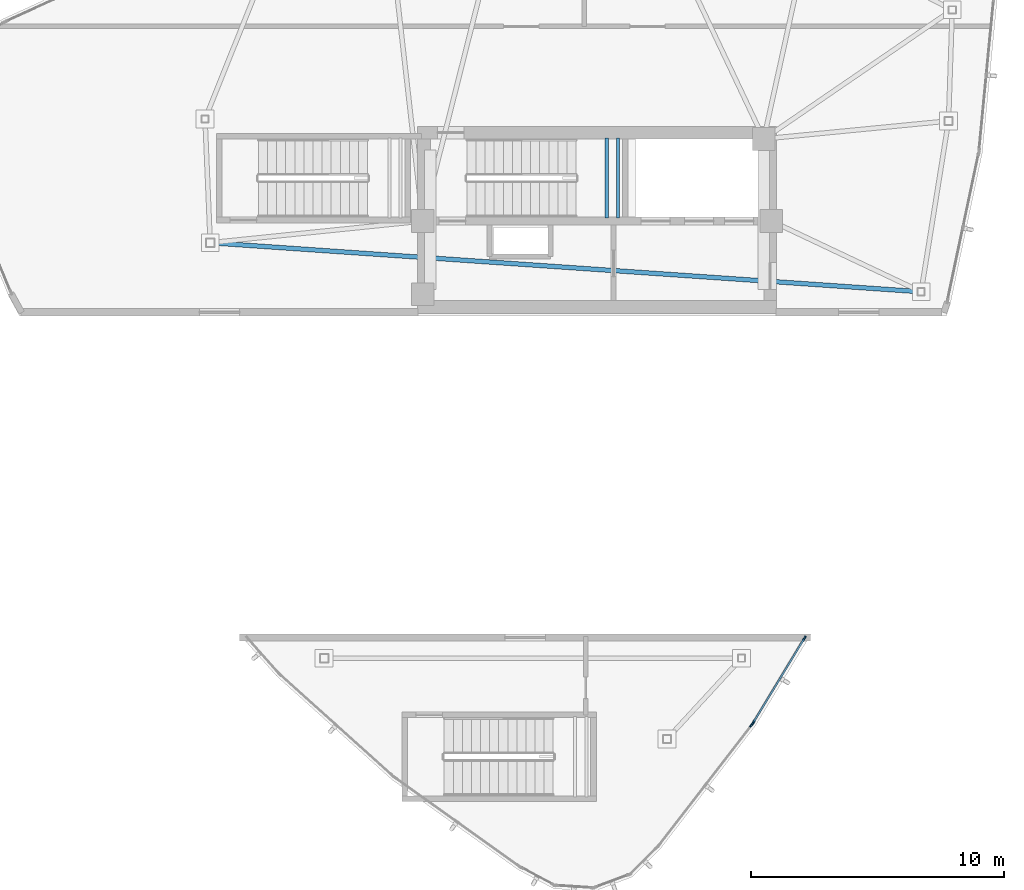
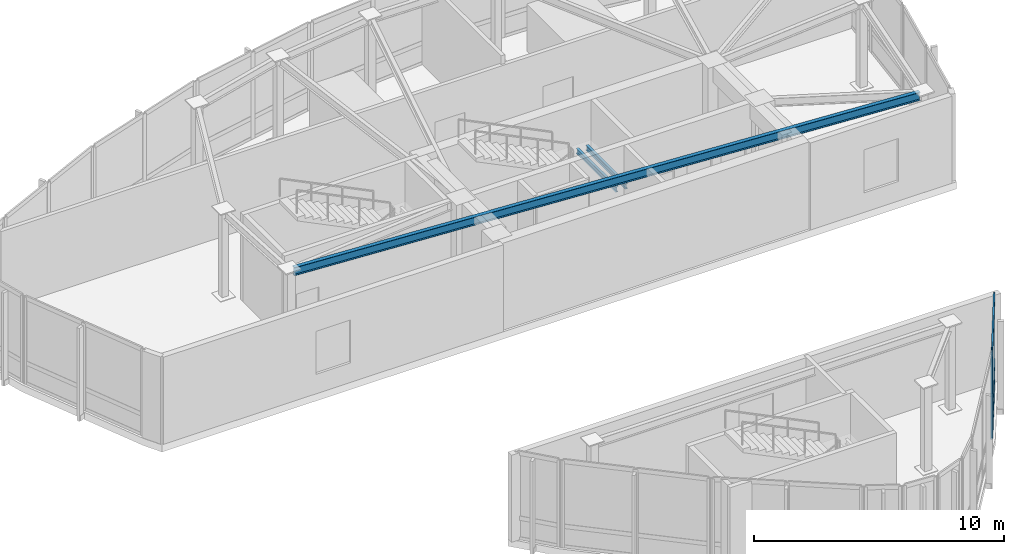
# One storey, part 4 of 16: 6 members, 3 beams, 2 elements without a shape of their own.
"""IFC4 building model written with IfcOpenShell, lengths in metres."""

import ifcopenshell
import ifcopenshell.guid

model = None  # the IFC model being written
_history = None  # IfcOwnerHistory: only IFC2X3 demands one
_inside = {}  # id of a spatial element -> (the spatial element, [elements in it])
_under = {}  # id of a project, library or spatial element -> (it, [spatial elements below it])
_declared = {}  # id of a project -> (the project, [libraries it declares])
_typed = {}  # id of a type object -> (the type object, [elements of that type])
_made_of = {}  # id of a material, layer set ... -> (it, [elements and type objects made of it])


def new_model(schema):
    """Start an empty IFC model of exactly this schema.

    Asked for "IFC4X3", IfcOpenShell would pick the latest addendum, in which some entities
    have other attributes; the version numbers below select the first issue.
    IFC2X3 requires an IfcOwnerHistory on every rooted entity: one is made here for all.
    """
    global model, _history
    if schema == "IFC4X3":
        model = ifcopenshell.file(schema_version=(4, 3, 0, 0))
    else:
        model = ifcopenshell.file(schema=schema)
    _inside.clear()
    _under.clear()
    _declared.clear()
    _typed.clear()
    _made_of.clear()
    _history = None
    if model.schema == "IFC2X3":
        org = make("IfcOrganization", Name="unknown")
        user = make(
            "IfcPersonAndOrganization",
            ThePerson=make("IfcPerson", FamilyName="unknown"),
            TheOrganization=org,
        )
        app = make(
            "IfcApplication",
            ApplicationDeveloper=org,
            Version="unknown",
            ApplicationFullName="unknown",
            ApplicationIdentifier="unknown",
        )
        _history = make(
            "IfcOwnerHistory",
            OwningUser=user,
            OwningApplication=app,
            ChangeAction="ADDED",
            CreationDate=0,
        )
    return model


def make(cls, **values):
    """One entity of the class cls with the attributes given. An attribute that is None is left unset."""
    return model.create_entity(
        cls, **{name: value for name, value in values.items() if value is not None}
    )


def rooted(cls, **values):
    """An entity with a GlobalId (a new one), such as an element, a storey or a relation."""
    return make(cls, GlobalId=ifcopenshell.guid.new(), OwnerHistory=_history, **values)


def si_unit(unit_type, name, prefix=None):
    """IfcSIUnit, for example si_unit("LENGTHUNIT", "METRE", prefix="MILLI")."""
    return make("IfcSIUnit", UnitType=unit_type, Prefix=prefix, Name=name)


def assignment(units):
    """IfcUnitAssignment: the units of a project."""
    return None if units is None else make("IfcUnitAssignment", Units=units)


def point(xyz):
    """IfcCartesianPoint."""
    return None if xyz is None else make("IfcCartesianPoint", Coordinates=xyz)


def direction(xyz):
    """IfcDirection."""
    return None if xyz is None else make("IfcDirection", DirectionRatios=xyz)


def frame(location, z_axis=None, x_axis=None):
    """IfcAxis2Placement3D, a coordinate frame: its origin and axes. An axis left out is left unset."""
    return make(
        "IfcAxis2Placement3D",
        Location=point(location),
        Axis=direction(z_axis),
        RefDirection=direction(x_axis),
    )


def frame_2d(location, x_axis=None):
    """IfcAxis2Placement2D, a coordinate frame in the plane: its origin and x axis."""
    return make(
        "IfcAxis2Placement2D", Location=point(location), RefDirection=direction(x_axis)
    )


def origin():
    """The frame at (0, 0, 0) with its axes left unset."""
    return frame((0.0, 0.0, 0.0))


def origin_2d():
    """The frame at (0, 0) in the plane with its x axis left unset."""
    return frame_2d((0.0, 0.0))


def place(relative_to, where):
    """IfcLocalPlacement: puts the frame where relative to a parent placement (None: the world)."""
    return make(
        "IfcLocalPlacement", PlacementRelTo=relative_to, RelativePlacement=where
    )


def context(
    kind, dimensions, precision=None, world=None, true_north=None, identifier=None
):
    """IfcGeometricRepresentationContext, for example the 3D "Model" context."""
    return make(
        "IfcGeometricRepresentationContext",
        ContextIdentifier=identifier,
        ContextType=kind,
        CoordinateSpaceDimension=dimensions,
        Precision=precision,
        WorldCoordinateSystem=world,
        TrueNorth=true_north,
    )


def subcontext(parent, identifier, kind, view, scale=None):
    """IfcGeometricRepresentationSubContext, for example "Body" below "Model"."""
    return make(
        "IfcGeometricRepresentationSubContext",
        ContextIdentifier=identifier,
        ContextType=kind,
        ParentContext=parent,
        TargetScale=scale,
        TargetView=view,
    )


def project(units=None, contexts=None):
    """IfcProject with its units and contexts."""
    return rooted(
        "IfcProject",
        Name="project",
        RepresentationContexts=contexts,
        UnitsInContext=assignment(units),
    )


def spatial(cls, under=None, at=None, **own):
    """A site, building, storey or space (cls), placed at a placement, below another one or the project."""
    s = rooted(cls, ObjectPlacement=at, **own)
    if under is not None:
        _under.setdefault(under.id(), (under, []))[1].append(s)
    return s


def profile(cls, at=None, kind="AREA", **sizes):
    """A parametric profile (cls). Its sizes go by their IFC names, for example OverallWidth=200.0."""
    return make(cls, ProfileType=kind, Position=at, **sizes)


def hollow_rectangle(**sizes):
    """IfcRectangleHollowProfileDef."""
    return profile("IfcRectangleHollowProfileDef", **sizes)


def i_section(**sizes):
    """IfcIShapeProfileDef."""
    return profile("IfcIShapeProfileDef", **sizes)


def extrude(swept, where, along, depth):
    """IfcExtrudedAreaSolid: the profile swept, set in the frame where, extruded along a direction by depth."""
    return make(
        "IfcExtrudedAreaSolid",
        SweptArea=swept,
        Position=where,
        ExtrudedDirection=direction(along),
        Depth=depth,
    )


def shape(context_of_items, identifier, shape_type, items):
    """IfcShapeRepresentation: the items that make up one representation, for example the "Body"."""
    return make(
        "IfcShapeRepresentation",
        ContextOfItems=context_of_items,
        RepresentationIdentifier=identifier,
        RepresentationType=shape_type,
        Items=items,
    )


def source(mapping_origin, context_of_items, identifier, shape_type, items):
    """IfcRepresentationMap: a shape defined once, which mapped items show again and again."""
    return make(
        "IfcRepresentationMap",
        MappingOrigin=mapping_origin,
        MappedRepresentation=shape(context_of_items, identifier, shape_type, items),
    )


def transform(
    local_origin,
    x_axis=None,
    y_axis=None,
    z_axis=None,
    scale=None,
    scale2=None,
    scale3=None,
    uniform=True,
):
    """IfcCartesianTransformationOperator3D, or its non-uniform kind. x_axis, y_axis, z_axis: its Axis1, 2, 3."""
    if uniform:
        return make(
            "IfcCartesianTransformationOperator3D",
            Axis1=direction(x_axis),
            Axis2=direction(y_axis),
            LocalOrigin=point(local_origin),
            Scale=scale,
            Axis3=direction(z_axis),
        )
    return make(
        "IfcCartesianTransformationOperator3DnonUniform",
        Axis1=direction(x_axis),
        Axis2=direction(y_axis),
        LocalOrigin=point(local_origin),
        Scale=scale,
        Axis3=direction(z_axis),
        Scale2=scale2,
        Scale3=scale3,
    )


def mapped(mapping_source, mapping_target):
    """IfcMappedItem: shows the shape of a source again, moved by a transform."""
    return make(
        "IfcMappedItem", MappingSource=mapping_source, MappingTarget=mapping_target
    )


def material(Name=None, Category=None):
    """IfcMaterial."""
    return make("IfcMaterial", Name=Name, Category=Category)


def layer(
    of_material, thickness, ventilated=None, Name=None, Category=None, Priority=None
):
    """IfcMaterialLayer: one layer of a wall or slab, of a material (None: an air gap)."""
    return make(
        "IfcMaterialLayer",
        Material=of_material,
        LayerThickness=thickness,
        IsVentilated=ventilated,
        Name=Name,
        Category=Category,
        Priority=Priority,
    )


def layer_set(layers, Name=None):
    """IfcMaterialLayerSet."""
    return make("IfcMaterialLayerSet", MaterialLayers=layers, LayerSetName=Name)


def material_profile(
    of_material, cross_section, Name=None, Category=None, Priority=None
):
    """IfcMaterialProfile: a cross section and its material."""
    return make(
        "IfcMaterialProfile",
        Name=Name,
        Material=of_material,
        Profile=cross_section,
        Priority=Priority,
        Category=Category,
    )


def profile_set(profiles, Name=None, composite=None):
    """IfcMaterialProfileSet."""
    return make(
        "IfcMaterialProfileSet",
        Name=Name,
        MaterialProfiles=profiles,
        CompositeProfile=composite,
    )


def made_of(thing, what):
    """Note that an element or type object is made of a material, layer set ...; save() writes the relation."""
    if what is not None:
        _made_of.setdefault(what.id(), (what, []))[1].append(thing)
    return thing


def type_object(cls, material=None, **own):
    """A type object (cls), such as IfcWallType, which elements share."""
    return made_of(rooted(cls, **own), material)


def type_shapes(of_type, sources):
    """Give a type object the sources (RepresentationMaps) that its elements show as mapped items."""
    of_type.RepresentationMaps = sources


def element(
    cls,
    number,
    at=None,
    inside=None,
    cuts=None,
    type_object=None,
    material=None,
    context=None,
    identifier="Body",
    shape_type=None,
    held_by="IfcProductDefinitionShape",
    body=None,
    shapes=None,
    **own,
):
    """One element of the class cls, such as IfcWall. Its Tag is "e" and its number.

    at: its placement. inside: the storey or other place that contains it. cuts: it is an
    opening in that element (IfcRelVoidsElement). A single representation is given by context,
    identifier, shape_type and body (its items); several are given by shapes. held_by: the class
    of the entity that holds the representations. save() writes the other relations.
    """
    e = rooted(cls, Tag="e%d" % number, ObjectPlacement=at, **own)
    if body is not None:
        shapes = [shape(context, identifier, shape_type, body)]
    if shapes is not None:
        e.Representation = make(held_by, Representations=shapes)
    if inside is not None:
        _inside.setdefault(inside.id(), (inside, []))[1].append(e)
    if cuts is not None:
        rooted(
            "IfcRelVoidsElement", RelatingBuildingElement=cuts, RelatedOpeningElement=e
        )
    if type_object is not None:
        _typed.setdefault(type_object.id(), (type_object, []))[1].append(e)
    return made_of(e, material)


def aggregate(whole, parts):
    """IfcRelAggregates: a whole, such as a stair, and the parts it consists of."""
    return rooted("IfcRelAggregates", RelatingObject=whole, RelatedObjects=parts)


def save(model, path):
    """Write the relations noted so far, then the file.

    IfcRelAggregates (storeys below a building ...), IfcRelContainedInSpatialStructure (elements
    in a storey), IfcRelDefinesByType, IfcRelAssociatesMaterial and IfcRelDeclares: one each for
    every whole, place, type object, material and project.
    """
    for whole, parts in _under.values():
        aggregate(whole, parts)
    for where, things in _inside.values():
        rooted(
            "IfcRelContainedInSpatialStructure",
            RelatedElements=things,
            RelatingStructure=where,
        )
    for kind, things in _typed.values():
        rooted("IfcRelDefinesByType", RelatedObjects=things, RelatingType=kind)
    for what, things in _made_of.values():
        rooted("IfcRelAssociatesMaterial", RelatedObjects=things, RelatingMaterial=what)
    for by, libraries in _declared.values():
        rooted("IfcRelDeclares", RelatingContext=by, RelatedDefinitions=libraries)
    model.write(path)


model = new_model("IFC4")

# Units and contexts
model_context = context("Model", 3, precision=1e-05, world=origin(), true_north=direction((0.0, 1.0)))
body_context = subcontext(model_context, "Body", "Model", "MODEL_VIEW")
ifc_project = project(units=[si_unit("LENGTHUNIT", "METRE"), si_unit("AREAUNIT", "SQUARE_METRE"), si_unit("VOLUMEUNIT", "CUBIC_METRE"), si_unit("PLANEANGLEUNIT", "RADIAN"), si_unit("MASSUNIT", "GRAM", prefix="KILO")], contexts=[model_context])

# Site, building, storey
site_placement = place(None, origin())
site = spatial("IfcSite", under=ifc_project, at=site_placement, CompositionType="ELEMENT")
building_placement = place(site_placement, origin())
building = spatial("IfcBuilding", under=site, at=building_placement, Name="Tavelor Broadcast Tower", CompositionType="ELEMENT")
storey_placement = place(building_placement, frame((0.0, 0.0, 336.699951171875)))
storey = spatial("IfcBuildingStorey", under=building, at=storey_placement, Name="L80", CompositionType="ELEMENT", Elevation=336.699951171875)

# Beams
ifc_material_1 = material(Name="Steel S355", Category="steel")
ifc_material_profile_1 = material_profile(ifc_material_1, i_section(OverallWidth=0.179931640625, OverallDepth=0.39990234375, WebThickness=0.008544921875, FlangeThickness=0.013427734375, at=origin_2d()), Name="IPE 400")
ifc_profile_set_1 = profile_set([ifc_material_profile_1], Name="Steel S355")
beam_type_1 = type_object("IfcBeamType", Name="Crown Ring Spandrel Beam IPE400", PredefinedType="SPANDREL", material=ifc_profile_set_1)
beam_placement = place(storey_placement, frame((34.868896484375, 47.07763671875, 4.050048828125), z_axis=(0.997631178399, -0.068789765859, 0.0), x_axis=(0.068789765859, 0.997631178399, 0.0)))
element("IfcBeam", 1, at=beam_placement, inside=storey, type_object=beam_type_1, Name="L80 Crown Peak A Ring Spandrel 3", PredefinedType="SPANDREL", context=body_context, shape_type="SweptSolid", body=[
    extrude(i_section(OverallWidth=0.179931640625, OverallDepth=0.39990234375, WebThickness=0.008544921875, FlangeThickness=0.013427734375, at=origin_2d()), origin(), (0.0, 0.0, 1.0), 27.870849609375),
])
ifc_material_profile_2 = material_profile(ifc_material_1, i_section(OverallWidth=0.1201171875, OverallDepth=0.239990234375, WebThickness=0.006103515625, FlangeThickness=0.009765625, at=origin_2d()), Name="IPE 240")
ifc_profile_set_2 = profile_set([ifc_material_profile_2], Name="Steel S355")
beam_type_2 = type_object("IfcBeamType", Name="Stairwell Landing Support Trimmer Beam IPE240", PredefinedType="BEAM", material=ifc_profile_set_2)
for number, where, z_axis, x_axis, name in (
    (2, (50.385009765625, 48.06005859375, 1.985107421875), (0.0, 1.0, 0.0), (-1.0, 0.0, 0.0), "L80 Stair Landing Support Beam 205"),
    (3, (50.824951171875, 48.06005859375, 1.985107421875), (0.0, 1.0, 0.0), (-1.0, 0.0, 0.0), "L80 Stair Landing Support Beam 206"),
):
    element("IfcBeam", number, at=place(storey_placement, frame(where, z_axis=z_axis, x_axis=x_axis)), inside=storey, type_object=beam_type_2, Name=name, PredefinedType="BEAM", context=body_context, shape_type="SweptSolid", body=[
        extrude(i_section(OverallWidth=0.1201171875, OverallDepth=0.239990234375, WebThickness=0.006103515625, FlangeThickness=0.009765625, at=origin_2d()), origin(), (0.0, 0.0, 1.0), 3.179931640625),
    ])

# Curtain wall, member
ifc_material_2 = material(Name="Architectural Anodized Aluminium", Category="aluminium")
ifc_layer = layer(ifc_material_2, 0.2099609375)
ifc_layer_set = layer_set([ifc_layer], Name="Architectural Anodized Aluminium")
curtain_wall_type = type_object("IfcCurtainWallType", Name="Split-Crown Beacon Curtain Wall CW06", PredefinedType="NOTDEFINED", material=ifc_layer_set)
curtain_wall_1_placement = place(storey_placement, origin())
curtain_wall_1 = element("IfcCurtainWall", 4, at=curtain_wall_1_placement, inside=storey, type_object=curtain_wall_type, Name="L80 Curtain Wall CW06 Run 927", PredefinedType="NOTDEFINED")
ifc_material_profile_3 = material_profile(ifc_material_2, hollow_rectangle(XDim=0.072021484375, YDim=0.2099609375, WallThickness=0.02197265625, at=origin_2d()), Name="RHS 72x210x22")
ifc_profile_set_3 = profile_set([ifc_material_profile_3], Name="Architectural Anodized Aluminium")
member_type_1 = type_object("IfcMemberType", Name="CW06 Extruded Aluminium Mullion 72x210", PredefinedType="MULLION", material=ifc_profile_set_3)
shared_shape_1 = source(origin(), body_context, "Body", "SweptSolid", [
    extrude(hollow_rectangle(XDim=0.072021484375, YDim=0.2099609375, WallThickness=0.02197265625, at=origin_2d()), origin(), (0.0, 0.0, 1.0), 4.25),
])
type_shapes(member_type_1, [shared_shape_1])
member_1_placement = place(storey_placement, frame((56.125244140625, 28.013916015625, 0.0), z_axis=(0.0, 0.0, 1.0), x_axis=(-0.791433902315, 0.611254757254, 0.0)))
member_1 = element("IfcMember", 5, at=member_1_placement, type_object=member_type_1, Name="CW06 mullion 3", PredefinedType="MULLION", context=body_context, shape_type="MappedRepresentation", body=[
    mapped(shared_shape_1, transform((0.0, 0.0, 0.0), scale=1.0)),
])
aggregate(curtain_wall_1, [member_1])

# Curtain wall, members
curtain_wall_2_placement = place(storey_placement, origin())
curtain_wall_2 = element("IfcCurtainWall", 6, at=curtain_wall_2_placement, inside=storey, type_object=curtain_wall_type, Name="L80 Curtain Wall CW06 Run 928", PredefinedType="NOTDEFINED")
member_2_placement = place(storey_placement, frame((56.182861328125, 28.097900390625, 0.0), z_axis=(0.0, 0.0, 1.0), x_axis=(-0.854930003354, 0.518743375249, 0.0)))
member_2 = element("IfcMember", 7, at=member_2_placement, type_object=member_type_1, Name="CW06 mullion 1", PredefinedType="MULLION", context=body_context, shape_type="MappedRepresentation", body=[
    mapped(shared_shape_1, transform((0.0, 0.0, 0.0), scale=1.0)),
])
member_3_placement = place(storey_placement, frame((58.204345703125, 31.42919921875, 0.0), z_axis=(0.0, 0.0, 1.0), x_axis=(-0.854930003354, 0.518743375249, 0.0)))
member_3 = element("IfcMember", 8, at=member_3_placement, type_object=member_type_1, Name="CW06 mullion 2", PredefinedType="MULLION", context=body_context, shape_type="MappedRepresentation", body=[
    mapped(shared_shape_1, transform((0.0, 0.0, 0.0), scale=1.0)),
])
ifc_material_profile_4 = material_profile(ifc_material_2, hollow_rectangle(XDim=0.072021484375, YDim=0.2099609375, WallThickness=0.02197265625, at=origin_2d()), Name="RHS 72x210x22")
ifc_profile_set_4 = profile_set([ifc_material_profile_4], Name="Architectural Anodized Aluminium")
member_type_2 = type_object("IfcMemberType", Name="CW06 Extruded Aluminium Transom 72x210", PredefinedType="USERDEFINED", material=ifc_profile_set_4)
shared_shape_2 = source(origin(), body_context, "Body", "SweptSolid", [
    extrude(hollow_rectangle(XDim=0.072021484375, YDim=0.2099609375, WallThickness=0.02197265625, at=origin_2d()), origin(), (0.0, 0.0, 1.0), 3.824462890625),
])
type_shapes(member_type_2, [shared_shape_2])
member_4_placement = place(storey_placement, frame((56.20166015625, 28.128662109375, 0.0361328125), z_axis=(0.518723247092, 0.854942216133, 0.0), x_axis=(-0.854942216133, 0.518723247092, 0.0)))
member_4 = element("IfcMember", 9, at=member_4_placement, type_object=member_type_2, Name="CW06 transom 1.1", ObjectType="TRANSOM", PredefinedType="USERDEFINED", context=body_context, shape_type="MappedRepresentation", body=[
    mapped(shared_shape_2, transform((0.0, 0.0, 0.0), scale=1.0)),
])
member_5_placement = place(storey_placement, frame((56.20166015625, 28.128662109375, 1.050048828125), z_axis=(0.518723247092, 0.854942216133, 0.0), x_axis=(-0.854942216133, 0.518723247092, 0.0)))
member_5 = element("IfcMember", 10, at=member_5_placement, type_object=member_type_2, Name="CW06 transom 1.2", ObjectType="TRANSOM", PredefinedType="USERDEFINED", context=body_context, shape_type="MappedRepresentation", body=[
    mapped(shared_shape_2, transform((0.0, 0.0, 0.0), scale=1.0)),
])
member_6_placement = place(storey_placement, frame((56.20166015625, 28.128662109375, 4.214111328125), z_axis=(0.518723247092, 0.854942216133, 0.0), x_axis=(-0.854942216133, 0.518723247092, 0.0)))
member_6 = element("IfcMember", 11, at=member_6_placement, type_object=member_type_2, Name="CW06 transom 1.3", ObjectType="TRANSOM", PredefinedType="USERDEFINED", context=body_context, shape_type="MappedRepresentation", body=[
    mapped(shared_shape_2, transform((0.0, 0.0, 0.0), scale=1.0)),
])
aggregate(curtain_wall_2, [member_2, member_3, member_4, member_5, member_6])

save(model, "model.ifc")
